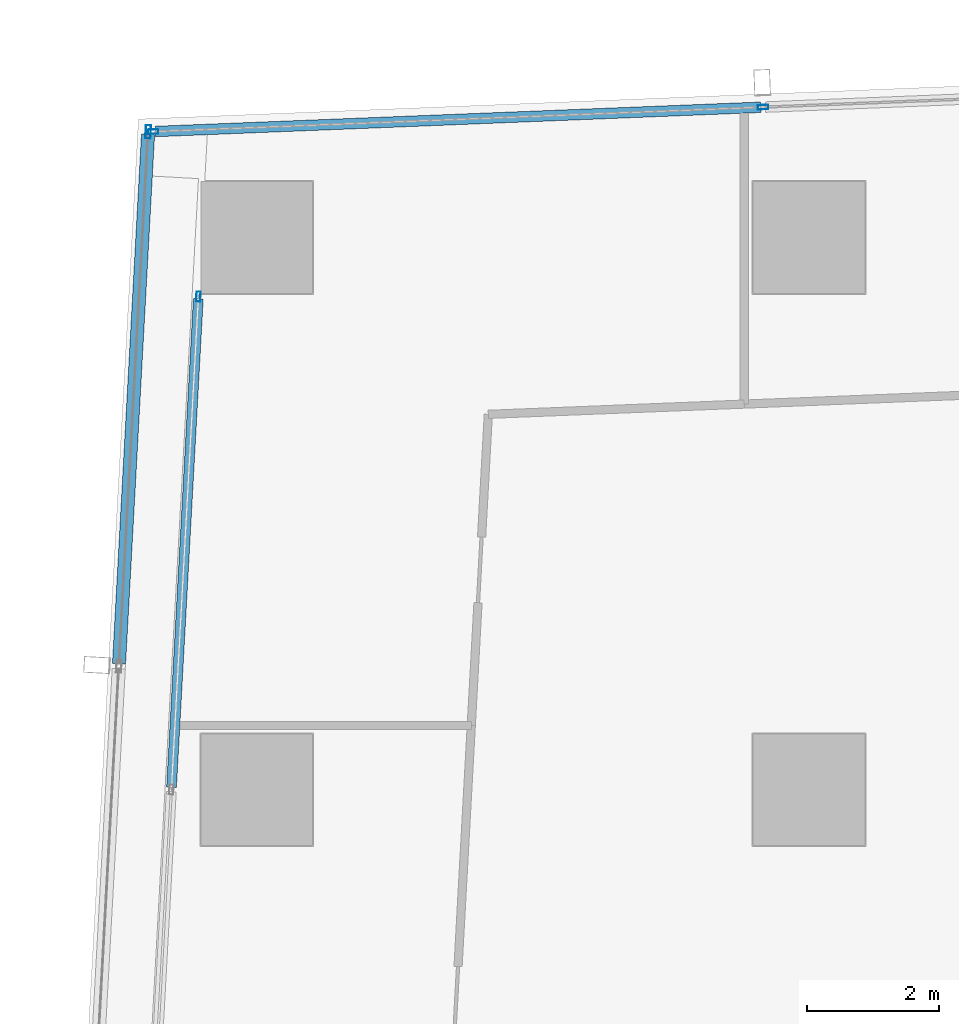
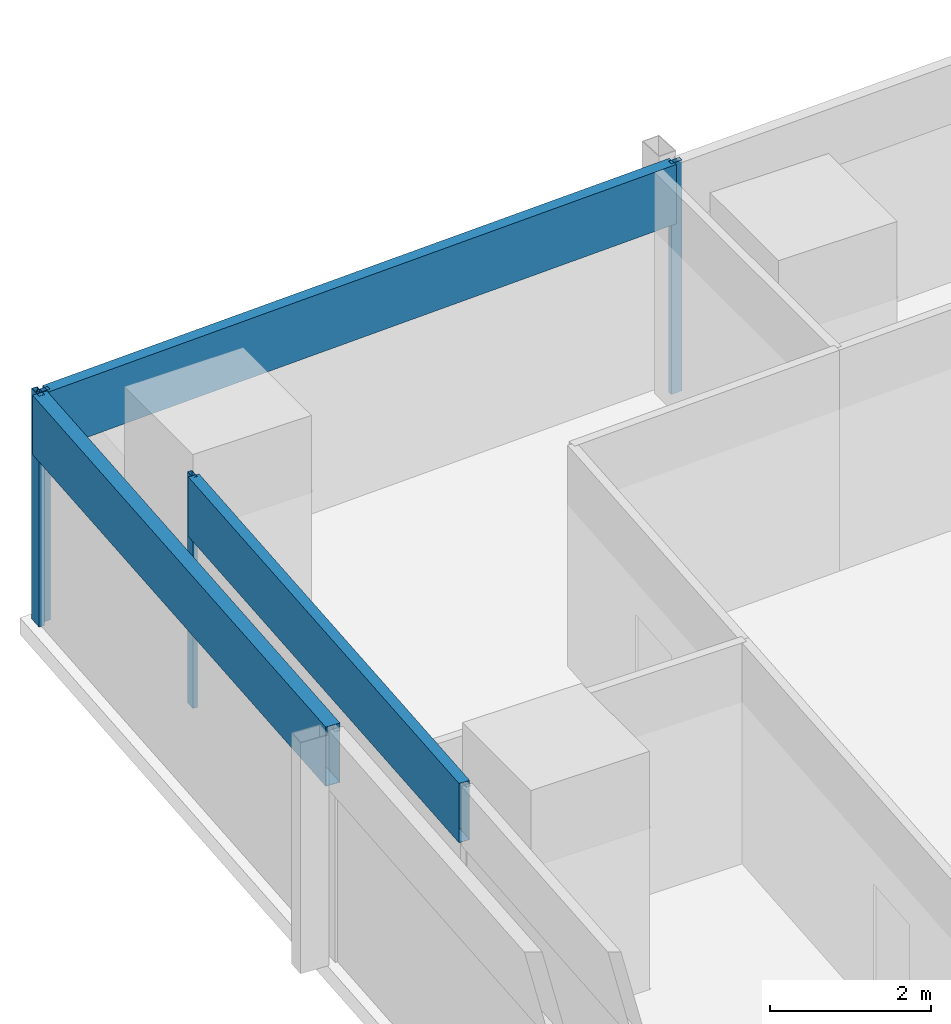
# One storey, part 15 of 40: 7 members, 3 elements without a shape of their own.
"""IFC4 building model written with IfcOpenShell, lengths in metres."""

import ifcopenshell
import ifcopenshell.guid

model = None  # the IFC model being written
_history = None  # IfcOwnerHistory: only IFC2X3 demands one
_inside = {}  # id of a spatial element -> (the spatial element, [elements in it])
_under = {}  # id of a project, library or spatial element -> (it, [spatial elements below it])
_declared = {}  # id of a project -> (the project, [libraries it declares])
_typed = {}  # id of a type object -> (the type object, [elements of that type])
_made_of = {}  # id of a material, layer set ... -> (it, [elements and type objects made of it])


def new_model(schema):
    """Start an empty IFC model of exactly this schema.

    Asked for "IFC4X3", IfcOpenShell would pick the latest addendum, in which some entities
    have other attributes; the version numbers below select the first issue.
    IFC2X3 requires an IfcOwnerHistory on every rooted entity: one is made here for all.
    """
    global model, _history
    if schema == "IFC4X3":
        model = ifcopenshell.file(schema_version=(4, 3, 0, 0))
    else:
        model = ifcopenshell.file(schema=schema)
    _inside.clear()
    _under.clear()
    _declared.clear()
    _typed.clear()
    _made_of.clear()
    _history = None
    if model.schema == "IFC2X3":
        org = make("IfcOrganization", Name="unknown")
        user = make(
            "IfcPersonAndOrganization",
            ThePerson=make("IfcPerson", FamilyName="unknown"),
            TheOrganization=org,
        )
        app = make(
            "IfcApplication",
            ApplicationDeveloper=org,
            Version="unknown",
            ApplicationFullName="unknown",
            ApplicationIdentifier="unknown",
        )
        _history = make(
            "IfcOwnerHistory",
            OwningUser=user,
            OwningApplication=app,
            ChangeAction="ADDED",
            CreationDate=0,
        )
    return model


def make(cls, **values):
    """One entity of the class cls with the attributes given. An attribute that is None is left unset."""
    return model.create_entity(
        cls, **{name: value for name, value in values.items() if value is not None}
    )


def rooted(cls, **values):
    """An entity with a GlobalId (a new one), such as an element, a storey or a relation."""
    return make(cls, GlobalId=ifcopenshell.guid.new(), OwnerHistory=_history, **values)


def si_unit(unit_type, name, prefix=None):
    """IfcSIUnit, for example si_unit("LENGTHUNIT", "METRE", prefix="MILLI")."""
    return make("IfcSIUnit", UnitType=unit_type, Prefix=prefix, Name=name)


def assignment(units):
    """IfcUnitAssignment: the units of a project."""
    return None if units is None else make("IfcUnitAssignment", Units=units)


def point(xyz):
    """IfcCartesianPoint."""
    return None if xyz is None else make("IfcCartesianPoint", Coordinates=xyz)


def direction(xyz):
    """IfcDirection."""
    return None if xyz is None else make("IfcDirection", DirectionRatios=xyz)


def frame(location, z_axis=None, x_axis=None):
    """IfcAxis2Placement3D, a coordinate frame: its origin and axes. An axis left out is left unset."""
    return make(
        "IfcAxis2Placement3D",
        Location=point(location),
        Axis=direction(z_axis),
        RefDirection=direction(x_axis),
    )


def frame_2d(location, x_axis=None):
    """IfcAxis2Placement2D, a coordinate frame in the plane: its origin and x axis."""
    return make(
        "IfcAxis2Placement2D", Location=point(location), RefDirection=direction(x_axis)
    )


def origin():
    """The frame at (0, 0, 0) with its axes left unset."""
    return frame((0.0, 0.0, 0.0))


def origin_2d():
    """The frame at (0, 0) in the plane with its x axis left unset."""
    return frame_2d((0.0, 0.0))


def place(relative_to, where):
    """IfcLocalPlacement: puts the frame where relative to a parent placement (None: the world)."""
    return make(
        "IfcLocalPlacement", PlacementRelTo=relative_to, RelativePlacement=where
    )


def context(
    kind, dimensions, precision=None, world=None, true_north=None, identifier=None
):
    """IfcGeometricRepresentationContext, for example the 3D "Model" context."""
    return make(
        "IfcGeometricRepresentationContext",
        ContextIdentifier=identifier,
        ContextType=kind,
        CoordinateSpaceDimension=dimensions,
        Precision=precision,
        WorldCoordinateSystem=world,
        TrueNorth=true_north,
    )


def subcontext(parent, identifier, kind, view, scale=None):
    """IfcGeometricRepresentationSubContext, for example "Body" below "Model"."""
    return make(
        "IfcGeometricRepresentationSubContext",
        ContextIdentifier=identifier,
        ContextType=kind,
        ParentContext=parent,
        TargetScale=scale,
        TargetView=view,
    )


def project(units=None, contexts=None):
    """IfcProject with its units and contexts."""
    return rooted(
        "IfcProject",
        Name="project",
        RepresentationContexts=contexts,
        UnitsInContext=assignment(units),
    )


def spatial(cls, under=None, at=None, **own):
    """A site, building, storey or space (cls), placed at a placement, below another one or the project."""
    s = rooted(cls, ObjectPlacement=at, **own)
    if under is not None:
        _under.setdefault(under.id(), (under, []))[1].append(s)
    return s


def profile(cls, at=None, kind="AREA", **sizes):
    """A parametric profile (cls). Its sizes go by their IFC names, for example OverallWidth=200.0."""
    return make(cls, ProfileType=kind, Position=at, **sizes)


def hollow_rectangle(**sizes):
    """IfcRectangleHollowProfileDef."""
    return profile("IfcRectangleHollowProfileDef", **sizes)


def extrude(swept, where, along, depth):
    """IfcExtrudedAreaSolid: the profile swept, set in the frame where, extruded along a direction by depth."""
    return make(
        "IfcExtrudedAreaSolid",
        SweptArea=swept,
        Position=where,
        ExtrudedDirection=direction(along),
        Depth=depth,
    )


def shape(context_of_items, identifier, shape_type, items):
    """IfcShapeRepresentation: the items that make up one representation, for example the "Body"."""
    return make(
        "IfcShapeRepresentation",
        ContextOfItems=context_of_items,
        RepresentationIdentifier=identifier,
        RepresentationType=shape_type,
        Items=items,
    )


def material(Name=None, Category=None):
    """IfcMaterial."""
    return make("IfcMaterial", Name=Name, Category=Category)


def material_profile(
    of_material, cross_section, Name=None, Category=None, Priority=None
):
    """IfcMaterialProfile: a cross section and its material."""
    return make(
        "IfcMaterialProfile",
        Name=Name,
        Material=of_material,
        Profile=cross_section,
        Priority=Priority,
        Category=Category,
    )


def profile_set(profiles, Name=None, composite=None):
    """IfcMaterialProfileSet."""
    return make(
        "IfcMaterialProfileSet",
        Name=Name,
        MaterialProfiles=profiles,
        CompositeProfile=composite,
    )


def made_of(thing, what):
    """Note that an element or type object is made of a material, layer set ...; save() writes the relation."""
    if what is not None:
        _made_of.setdefault(what.id(), (what, []))[1].append(thing)
    return thing


def type_object(cls, material=None, **own):
    """A type object (cls), such as IfcWallType, which elements share."""
    return made_of(rooted(cls, **own), material)


def element(
    cls,
    number,
    at=None,
    inside=None,
    cuts=None,
    type_object=None,
    material=None,
    context=None,
    identifier="Body",
    shape_type=None,
    held_by="IfcProductDefinitionShape",
    body=None,
    shapes=None,
    **own,
):
    """One element of the class cls, such as IfcWall. Its Tag is "e" and its number.

    at: its placement. inside: the storey or other place that contains it. cuts: it is an
    opening in that element (IfcRelVoidsElement). A single representation is given by context,
    identifier, shape_type and body (its items); several are given by shapes. held_by: the class
    of the entity that holds the representations. save() writes the other relations.
    """
    e = rooted(cls, Tag="e%d" % number, ObjectPlacement=at, **own)
    if body is not None:
        shapes = [shape(context, identifier, shape_type, body)]
    if shapes is not None:
        e.Representation = make(held_by, Representations=shapes)
    if inside is not None:
        _inside.setdefault(inside.id(), (inside, []))[1].append(e)
    if cuts is not None:
        rooted(
            "IfcRelVoidsElement", RelatingBuildingElement=cuts, RelatedOpeningElement=e
        )
    if type_object is not None:
        _typed.setdefault(type_object.id(), (type_object, []))[1].append(e)
    return made_of(e, material)


def aggregate(whole, parts):
    """IfcRelAggregates: a whole, such as a stair, and the parts it consists of."""
    return rooted("IfcRelAggregates", RelatingObject=whole, RelatedObjects=parts)


def save(model, path):
    """Write the relations noted so far, then the file.

    IfcRelAggregates (storeys below a building ...), IfcRelContainedInSpatialStructure (elements
    in a storey), IfcRelDefinesByType, IfcRelAssociatesMaterial and IfcRelDeclares: one each for
    every whole, place, type object, material and project.
    """
    for whole, parts in _under.values():
        aggregate(whole, parts)
    for where, things in _inside.values():
        rooted(
            "IfcRelContainedInSpatialStructure",
            RelatedElements=things,
            RelatingStructure=where,
        )
    for kind, things in _typed.values():
        rooted("IfcRelDefinesByType", RelatedObjects=things, RelatingType=kind)
    for what, things in _made_of.values():
        rooted("IfcRelAssociatesMaterial", RelatedObjects=things, RelatingMaterial=what)
    for by, libraries in _declared.values():
        rooted("IfcRelDeclares", RelatingContext=by, RelatedDefinitions=libraries)
    model.write(path)


model = new_model("IFC4")

# Units and contexts
model_context = context("Model", 3, precision=1e-05, world=origin(), true_north=direction((0.0, 1.0)))
body_context = subcontext(model_context, "Body", "Model", "MODEL_VIEW")
ifc_project = project(units=[si_unit("LENGTHUNIT", "METRE"), si_unit("AREAUNIT", "SQUARE_METRE"), si_unit("VOLUMEUNIT", "CUBIC_METRE"), si_unit("PLANEANGLEUNIT", "RADIAN"), si_unit("MASSUNIT", "GRAM", prefix="KILO")], contexts=[model_context])

# Site, building, storey
site_placement = place(None, origin())
site = spatial("IfcSite", under=ifc_project, at=site_placement, CompositionType="ELEMENT")
building_placement = place(site_placement, origin())
building = spatial("IfcBuilding", under=site, at=building_placement, Name="Rekha Terrace Tower", CompositionType="ELEMENT")
storey_placement = place(building_placement, frame((0.0, 0.0, 102.800048828125)))
storey = spatial("IfcBuildingStorey", under=building, at=storey_placement, Name="L25", CompositionType="ELEMENT", Elevation=102.800048828125)

# Curtain wall, members
ifc_material_1 = material(Name="Aluminium framing", Category="aluminium")
curtain_wall_type_1 = type_object("IfcCurtainWallType", Name="CW1 double skin inner glazing", PredefinedType="USERDEFINED", material=ifc_material_1)
curtain_wall_1_placement = place(storey_placement, origin())
curtain_wall_1 = element("IfcCurtainWall", 1, at=curtain_wall_1_placement, inside=storey, type_object=curtain_wall_type_1, Name="CW1 double skin inner glazing", ObjectType="DOUBLE SKIN INNER GLAZING", PredefinedType="USERDEFINED")
ifc_material_2 = material(Name="Aluminium mullion section", Category="aluminium")
ifc_material_profile_1 = material_profile(ifc_material_2, hollow_rectangle(XDim=0.06494140625, YDim=0.14990234375, WallThickness=0.00390625, at=origin_2d()), Name="AL RHS 65x150")
ifc_profile_set_1 = profile_set([ifc_material_profile_1], Name="Aluminium mullion section")
member_type_1 = type_object("IfcMemberType", Name="CW1 mullion RHS 65 x 150", PredefinedType="MULLION", material=ifc_profile_set_1)
member_1_placement = place(storey_placement, frame((7.513427734375, 57.8994140625, 0.0), z_axis=(0.0, 0.0, 1.0), x_axis=(0.99850051318, -0.054742352707, 0.0)))
member_1 = element("IfcMember", 2, at=member_1_placement, type_object=member_type_1, Name="CW1 mullion 1", PredefinedType="MULLION", context=body_context, shape_type="SweptSolid", body=[
    extrude(hollow_rectangle(XDim=0.06494140625, YDim=0.14990234375, WallThickness=0.00390625, at=origin_2d()), origin(), (0.0, 0.0, 1.0), 3.5),
])
ifc_material_3 = material(Name="Insulated aluminium spandrel box", Category="aluminium")
ifc_material_profile_2 = material_profile(ifc_material_3, hollow_rectangle(XDim=0.14990234375, YDim=0.89990234375, WallThickness=0.0029296875, at=origin_2d()), Name="AL SPANDREL BOX 150x900")
ifc_profile_set_2 = profile_set([ifc_material_profile_2], Name="Insulated aluminium spandrel box")
member_type_2 = type_object("IfcMemberType", Name="CW1 spandrel transom 150 x 900", PredefinedType="USERDEFINED", material=ifc_profile_set_2)
member_2_placement = place(storey_placement, frame((7.51171875, 57.866943359375, 3.050048828125), z_axis=(-0.054743356699, -0.998500458136, 0.0), x_axis=(0.998500458136, -0.054743356699, 0.0)))
member_2 = element("IfcMember", 3, at=member_2_placement, type_object=member_type_2, Name="CW1 spandrel transom 1", ObjectType="TRANSOM", PredefinedType="USERDEFINED", context=body_context, shape_type="SweptSolid", body=[
    extrude(hollow_rectangle(XDim=0.14990234375, YDim=0.89990234375, WallThickness=0.0029296875, at=origin_2d()), origin(), (0.0, 0.0, 1.0), 7.443359375),
])
aggregate(curtain_wall_1, [member_1, member_2])

curtain_wall_type_2 = type_object("IfcCurtainWallType", Name="CW2 double skin outer glazing", PredefinedType="USERDEFINED", material=ifc_material_1)
curtain_wall_2_placement = place(storey_placement, origin())
curtain_wall_2 = element("IfcCurtainWall", 4, at=curtain_wall_2_placement, inside=storey, type_object=curtain_wall_type_2, Name="CW2 double skin outer glazing", ObjectType="DOUBLE SKIN OUTER GLAZING", PredefinedType="USERDEFINED")
ifc_material_profile_3 = material_profile(ifc_material_2, hollow_rectangle(XDim=0.080078125, YDim=0.199951171875, WallThickness=0.00390625, at=origin_2d()), Name="AL RHS 80x200")
ifc_profile_set_3 = profile_set([ifc_material_profile_3], Name="Aluminium mullion section")
member_type_3 = type_object("IfcMemberType", Name="CW2 mullion RHS 80 x 200", PredefinedType="MULLION", material=ifc_profile_set_3)
member_3_placement = place(storey_placement, frame((6.74951171875, 60.406005859375, 0.0), z_axis=(0.0, 0.0, 1.0), x_axis=(0.99850051318, -0.054742352707, 0.0)))
member_3 = element("IfcMember", 5, at=member_3_placement, type_object=member_type_3, Name="CW2 mullion 1", PredefinedType="MULLION", context=body_context, shape_type="SweptSolid", body=[
    extrude(hollow_rectangle(XDim=0.080078125, YDim=0.199951171875, WallThickness=0.00390625, at=origin_2d()), origin(), (0.0, 0.0, 1.0), 3.5),
])
ifc_material_profile_4 = material_profile(ifc_material_3, hollow_rectangle(XDim=0.199951171875, YDim=0.89990234375, WallThickness=0.0029296875, at=origin_2d()), Name="AL SPANDREL BOX 200x900")
ifc_profile_set_4 = profile_set([ifc_material_profile_4], Name="Insulated aluminium spandrel box")
member_type_4 = type_object("IfcMemberType", Name="CW2 spandrel transom 200 x 900", PredefinedType="USERDEFINED", material=ifc_profile_set_4)
member_4_placement = place(storey_placement, frame((6.747314453125, 60.365966796875, 3.050048828125), z_axis=(-0.054735200093, -0.998500905293, 0.0), x_axis=(0.998500905293, -0.054735200093, 0.0)))
member_4 = element("IfcMember", 6, at=member_4_placement, type_object=member_type_4, Name="CW2 spandrel transom 1", ObjectType="TRANSOM", PredefinedType="USERDEFINED", context=body_context, shape_type="SweptSolid", body=[
    extrude(hollow_rectangle(XDim=0.199951171875, YDim=0.89990234375, WallThickness=0.0029296875, at=origin_2d()), origin(), (0.0, 0.0, 1.0), 8.059814453125),
])
aggregate(curtain_wall_2, [member_3, member_4])

curtain_wall_type_3 = type_object("IfcCurtainWallType", Name="CW3 north unitised glazing", PredefinedType="USERDEFINED", material=ifc_material_1)
curtain_wall_3_placement = place(storey_placement, origin())
curtain_wall_3 = element("IfcCurtainWall", 7, at=curtain_wall_3_placement, inside=storey, type_object=curtain_wall_type_3, Name="CW3 unitised curtain wall", ObjectType="UNITISED CURTAIN WALL", PredefinedType="USERDEFINED")
ifc_material_profile_5 = material_profile(ifc_material_2, hollow_rectangle(XDim=0.070068359375, YDim=0.159912109375, WallThickness=0.00390625, at=origin_2d()), Name="AL RHS 70x160")
ifc_profile_set_5 = profile_set([ifc_material_profile_5], Name="Aluminium mullion section")
member_type_5 = type_object("IfcMemberType", Name="CW3 mullion RHS 70 x 160", PredefinedType="MULLION", material=ifc_profile_set_5)
member_5_placement = place(storey_placement, frame((16.101806640625, 60.780517578125, 0.0), z_axis=(0.0, 0.0, 1.0), x_axis=(0.040031987119, -0.999198398721, 0.0)))
member_5 = element("IfcMember", 8, at=member_5_placement, type_object=member_type_5, Name="CW3 mullion 4", PredefinedType="MULLION", context=body_context, shape_type="SweptSolid", body=[
    extrude(hollow_rectangle(XDim=0.070068359375, YDim=0.159912109375, WallThickness=0.00390625, at=origin_2d()), origin(), (0.0, 0.0, 1.0), 3.5),
])
member_6_placement = place(storey_placement, frame((6.82470703125, 60.408935546875, 0.0), z_axis=(0.0, 0.0, 1.0), x_axis=(0.040031987119, -0.999198398721, 0.0)))
member_6 = element("IfcMember", 9, at=member_6_placement, type_object=member_type_5, Name="CW3 mullion 5", PredefinedType="MULLION", context=body_context, shape_type="SweptSolid", body=[
    extrude(hollow_rectangle(XDim=0.070068359375, YDim=0.159912109375, WallThickness=0.00390625, at=origin_2d()), origin(), (0.0, 0.0, 1.0), 3.5),
])
ifc_material_profile_6 = material_profile(ifc_material_3, hollow_rectangle(XDim=0.159912109375, YDim=0.89990234375, WallThickness=0.0029296875, at=origin_2d()), Name="AL SPANDREL BOX 160x900")
ifc_profile_set_6 = profile_set([ifc_material_profile_6], Name="Insulated aluminium spandrel box")
member_type_6 = type_object("IfcMemberType", Name="CW3 spandrel transom 160 x 900", PredefinedType="USERDEFINED", material=ifc_profile_set_6)
member_7_placement = place(storey_placement, frame((16.06689453125, 60.779052734375, 3.050048828125), z_axis=(-0.999198332483, -0.040033640399, 0.0), x_axis=(0.040033640399, -0.999198332483, 0.0)))
member_7 = element("IfcMember", 10, at=member_7_placement, type_object=member_type_6, Name="CW3 spandrel transom 4", ObjectType="TRANSOM", PredefinedType="USERDEFINED", context=body_context, shape_type="SweptSolid", body=[
    extrude(hollow_rectangle(XDim=0.159912109375, YDim=0.89990234375, WallThickness=0.0029296875, at=origin_2d()), origin(), (0.0, 0.0, 1.0), 9.214599609375),
])
aggregate(curtain_wall_3, [member_5, member_6, member_7])

save(model, "model.ifc")
